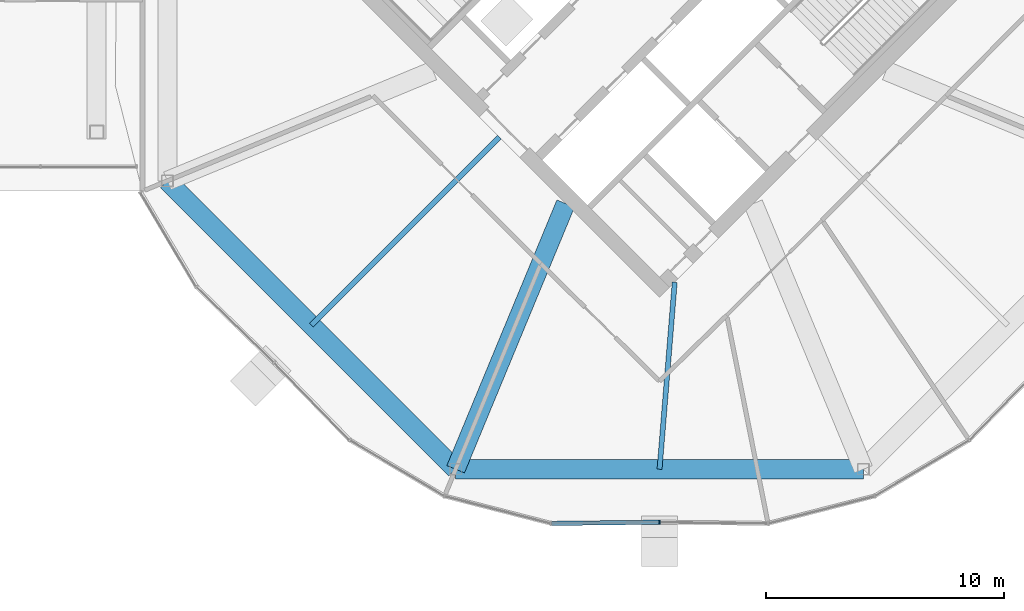
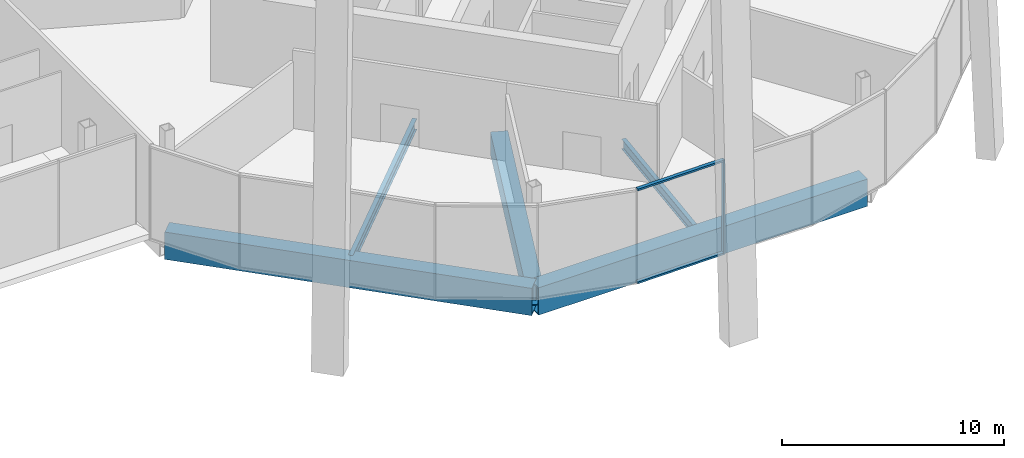
# One storey, part 12 of 28: 5 beams, 3 members, 1 element without a shape of its own.
"""IFC4 building model written with IfcOpenShell, lengths in metres."""

from ifc_helpers import new_model, si_unit, direction, frame, origin, origin_2d, place, context, subcontext, project, spatial, rectangle, hollow_rectangle, i_section, extrude, material, material_profile, profile_set, type_object, element, aggregate, save


model = new_model("IFC4")

# Units and contexts
model_context = context("Model", 3, precision=1e-05, world=origin(), true_north=direction((0.0, 1.0)))
body_context = subcontext(model_context, "Body", "Model", "MODEL_VIEW")
ifc_project = project(units=[si_unit("LENGTHUNIT", "METRE"), si_unit("AREAUNIT", "SQUARE_METRE"), si_unit("VOLUMEUNIT", "CUBIC_METRE"), si_unit("PLANEANGLEUNIT", "RADIAN"), si_unit("MASSUNIT", "GRAM", prefix="KILO")], contexts=[model_context])

# Site, building, storey
site_placement = place(None, origin())
site = spatial("IfcSite", under=ifc_project, at=site_placement, CompositionType="ELEMENT")
building_placement = place(site_placement, origin())
building = spatial("IfcBuilding", under=site, at=building_placement, Name="Ogive Gate Towers", CompositionType="ELEMENT")
storey_placement = place(building_placement, frame((0.0, 0.0, 135.60009765625)))
storey = spatial("IfcBuildingStorey", under=building, at=storey_placement, Name="L32", CompositionType="ELEMENT", Elevation=135.60009765625)

# Beams
ifc_material_1 = material(Name="Steel SM460", Category="steel")
ifc_material_profile_1 = material_profile(ifc_material_1, hollow_rectangle(XDim=0.800048828125, YDim=1.5, WallThickness=0.06005859375, at=origin_2d()), Name="BX 1500x800x60")
ifc_profile_set_1 = profile_set([ifc_material_profile_1], Name="Steel SM460")
beam_type_1 = type_object("IfcBeamType", Name="Edge girder BX 1500x800x60", PredefinedType="BEAM", material=ifc_profile_set_1)
beam_1_placement = place(storey_placement, frame((15.360595703125, -8.549072265625, -1.050048828125), z_axis=(0.707106781187, -0.707106781187, 0.0), x_axis=(0.707106781187, 0.707106781187, 0.0)))
element("IfcBeam", 1, at=beam_1_placement, inside=storey, type_object=beam_type_1, Name="T2/L32/SBM017", PredefinedType="BEAM", context=body_context, shape_type="SweptSolid", body=[
    extrude(hollow_rectangle(XDim=0.800048828125, YDim=1.5, WallThickness=0.06005859375, at=origin_2d()), origin(), (0.0, 0.0, 1.0), 17.098388671875),
])
beam_2_placement = place(storey_placement, frame((27.450927734375, -20.639404296875, -1.050048828125), z_axis=(1.0, 0.0, 0.0), x_axis=(0.0, 1.0, 0.0)))
element("IfcBeam", 2, at=beam_2_placement, inside=storey, type_object=beam_type_1, Name="T2/L32/SBM018", PredefinedType="BEAM", context=body_context, shape_type="SweptSolid", body=[
    extrude(hollow_rectangle(XDim=0.800048828125, YDim=1.5, WallThickness=0.06005859375, at=origin_2d()), origin(), (0.0, 0.0, 1.0), 17.09814453125),
])
ifc_material_2 = material(Name="Steel SM355", Category="steel")
ifc_material_profile_2 = material_profile(ifc_material_2, i_section(OverallWidth=0.2099609375, OverallDepth=0.550048828125, WebThickness=0.010986328125, FlangeThickness=0.01708984375, FilletRadius=0.02392578125, at=origin_2d()), Name="IPE 550")
ifc_profile_set_2 = profile_set([ifc_material_profile_2], Name="Steel SM355")
beam_type_2 = type_object("IfcBeamType", Name="Radial floor beam IPE 550", PredefinedType="BEAM", material=ifc_profile_set_2)
beam_3_placement = place(storey_placement, frame((36.636474609375, -12.798583984375, -0.5751953125), z_axis=(-0.080908365468, -0.996721544062, 0.0), x_axis=(0.996721544062, -0.080908365468, 0.0)))
element("IfcBeam", 3, at=beam_3_placement, inside=storey, type_object=beam_type_2, Name="T2/L32/SBM004", PredefinedType="BEAM", context=body_context, shape_type="SweptSolid", body=[
    extrude(i_section(OverallWidth=0.2099609375, OverallDepth=0.550048828125, WebThickness=0.010986328125, FlangeThickness=0.01708984375, FilletRadius=0.02392578125, at=origin_2d()), origin(), (0.0, 0.0, 1.0), 7.86669921875),
])
ifc_material_profile_3 = material_profile(ifc_material_2, i_section(OverallWidth=0.219970703125, OverallDepth=0.60009765625, WebThickness=0.011962890625, FlangeThickness=0.01904296875, FilletRadius=0.02392578125, at=origin_2d()), Name="IPE 600")
ifc_profile_set_3 = profile_set([ifc_material_profile_3], Name="Steel SM355")
beam_type_3 = type_object("IfcBeamType", Name="Radial floor beam IPE 600", PredefinedType="BEAM", material=ifc_profile_set_3)
beam_4_placement = place(storey_placement, frame((29.282470703125, -6.717529296875, -0.60009765625), z_axis=(-0.707106781187, -0.707106781187, 0.0), x_axis=(0.707106781187, -0.707106781187, 0.0)))
element("IfcBeam", 4, at=beam_4_placement, inside=storey, type_object=beam_type_3, Name="T2/L32/SBM002", PredefinedType="BEAM", context=body_context, shape_type="SweptSolid", body=[
    extrude(i_section(OverallWidth=0.219970703125, OverallDepth=0.60009765625, WebThickness=0.011962890625, FlangeThickness=0.01904296875, FilletRadius=0.02392578125, at=origin_2d()), origin(), (0.0, 0.0, 1.0), 11.139404296875),
])

# Curtain wall, members
ifc_material_3 = material(Name="Pale metal aluminium", Category="aluminium")
curtain_wall_type = type_object("IfcCurtainWallType", Name="Tower unitised wall, high zone", PredefinedType="NOTDEFINED", material=ifc_material_3)
curtain_wall_placement = place(storey_placement, origin())
curtain_wall = element("IfcCurtainWall", 5, at=curtain_wall_placement, inside=storey, type_object=curtain_wall_type, Name="CW2 T2 ECW06", PredefinedType="NOTDEFINED")
ifc_material_profile_4 = material_profile(ifc_material_3, rectangle(XDim=0.179931640625, YDim=0.06005859375, at=origin_2d()), Name="60 x 180 aluminium box")
ifc_profile_set_4 = profile_set([ifc_material_profile_4], Name="Pale metal aluminium")
member_type_1 = type_object("IfcMemberType", Name="Tower unitised wall, high zone mullion 60 x 180", PredefinedType="MULLION", material=ifc_profile_set_4)
member_1_placement = place(storey_placement, frame((36.0, -22.860107421875, -0.300048828125), z_axis=(0.0, 0.0, 1.0), x_axis=(0.011641083172, -0.999932240296, 0.0)))
member_1 = element("IfcMember", 6, at=member_1_placement, type_object=member_type_1, Name="CW2 mullion", PredefinedType="MULLION", context=body_context, shape_type="SweptSolid", body=[
    extrude(rectangle(XDim=0.179931640625, YDim=0.06005859375, at=origin_2d()), origin(), (0.0, 0.0, 1.0), 5.199951171875),
])
ifc_material_profile_5 = material_profile(ifc_material_3, rectangle(XDim=0.179931640625, YDim=0.10009765625, at=origin_2d()), Name="100 x 180 aluminium box")
ifc_profile_set_5 = profile_set([ifc_material_profile_5], Name="Pale metal aluminium")
member_type_2 = type_object("IfcMemberType", Name="Tower unitised wall, high zone transom 100 x 180", PredefinedType="USERDEFINED", material=ifc_profile_set_5)
member_2_placement = place(storey_placement, frame((31.47802734375, -22.91259765625, 4.849853515625), z_axis=(0.999932366003, 0.01163028025, 0.0), x_axis=(-0.01163028025, 0.999932366003, 0.0)))
member_2 = element("IfcMember", 7, at=member_2_placement, type_object=member_type_2, Name="CW2 transom", ObjectType="TRANSOM", PredefinedType="USERDEFINED", context=body_context, shape_type="SweptSolid", body=[
    extrude(rectangle(XDim=0.179931640625, YDim=0.10009765625, at=origin_2d()), origin(), (0.0, 0.0, 1.0), 4.4921875),
])
member_3_placement = place(storey_placement, frame((31.47802734375, -22.91259765625, -0.25), z_axis=(0.999932366003, 0.01163028025, 0.0), x_axis=(-0.01163028025, 0.999932366003, 0.0)))
member_3 = element("IfcMember", 8, at=member_3_placement, type_object=member_type_2, Name="CW2 transom", ObjectType="TRANSOM", PredefinedType="USERDEFINED", context=body_context, shape_type="SweptSolid", body=[
    extrude(rectangle(XDim=0.179931640625, YDim=0.10009765625, at=origin_2d()), origin(), (0.0, 0.0, 1.0), 4.4921875),
])
aggregate(curtain_wall, [member_1, member_2, member_3])

# Beam
ifc_material_profile_6 = material_profile(ifc_material_1, hollow_rectangle(XDim=0.800048828125, YDim=1.199951171875, WallThickness=0.050048828125, at=origin_2d()), Name="BX 1200x800x50")
ifc_profile_set_6 = profile_set([ifc_material_profile_6], Name="Steel SM460")
beam_type_4 = type_object("IfcBeamType", Name="Transfer radial beam BX 1200x800x50", PredefinedType="BEAM", material=ifc_profile_set_6)
beam_5_placement = place(storey_placement, frame((32.06494140625, -9.5, -0.900146484375), z_axis=(-0.382677863518, -0.923881839184, 0.0), x_axis=(0.923881839184, -0.382677863518, 0.0)))
element("IfcBeam", 9, at=beam_5_placement, inside=storey, type_object=beam_type_4, Name="T2/L32/SBM003", PredefinedType="BEAM", context=body_context, shape_type="SweptSolid", body=[
    extrude(hollow_rectangle(XDim=0.800048828125, YDim=1.199951171875, WallThickness=0.050048828125, at=origin_2d()), origin(), (0.0, 0.0, 1.0), 12.05712890625),
])

save(model, "model.ifc")
